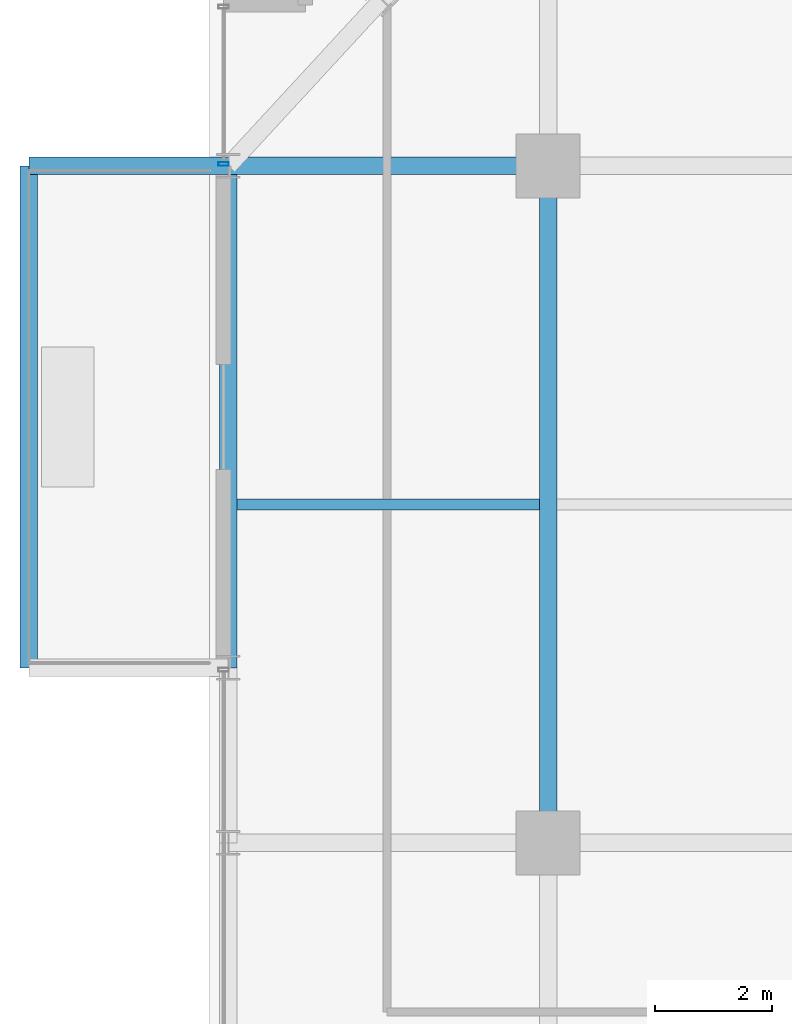
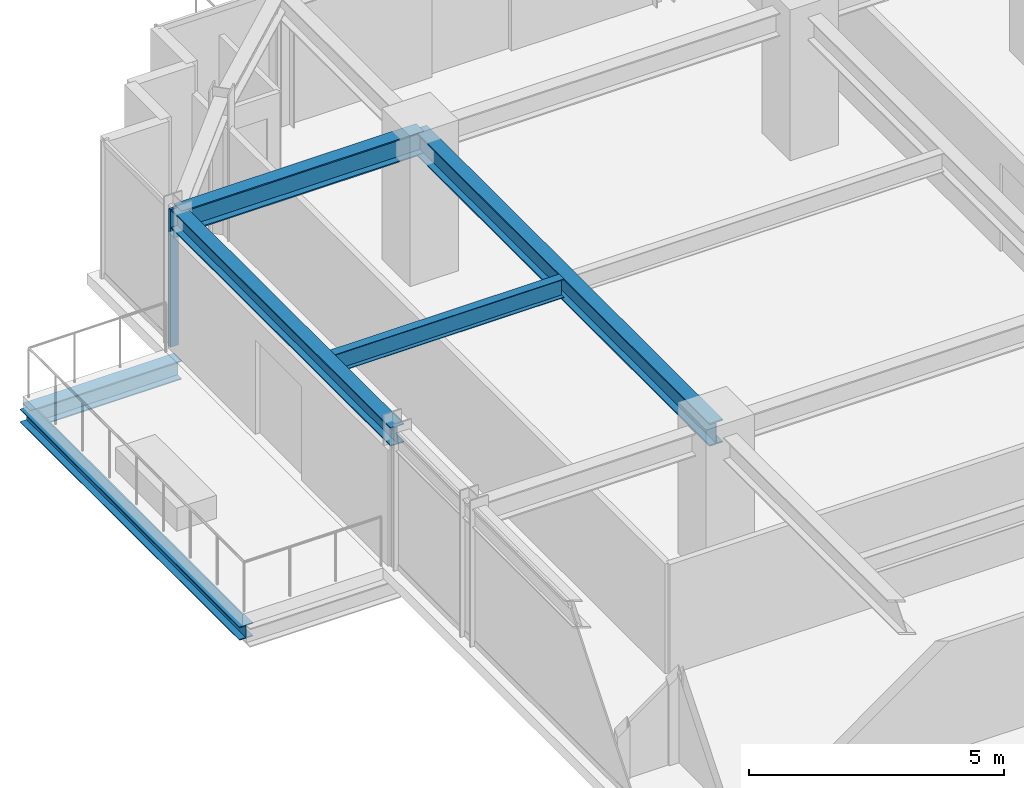
# One storey, part 15 of 32: 6 beams, 1 member, 1 element without a shape of its own.
"""IFC4 building model written with IfcOpenShell, lengths in metres."""

from ifc_helpers import new_model, si_unit, direction, frame, origin, origin_2d, place, context, subcontext, project, spatial, hollow_rectangle, i_section, extrude, source, transform, mapped, material, material_profile, profile_set, type_object, element, aggregate, save


model = new_model("IFC4")

# Units and contexts
model_context = context("Model", 3, precision=1e-05, world=origin(), true_north=direction((0.0, 1.0)))
body_context = subcontext(model_context, "Body", "Model", "MODEL_VIEW")
ifc_project = project(units=[si_unit("LENGTHUNIT", "METRE"), si_unit("AREAUNIT", "SQUARE_METRE"), si_unit("VOLUMEUNIT", "CUBIC_METRE"), si_unit("PLANEANGLEUNIT", "RADIAN"), si_unit("MASSUNIT", "GRAM", prefix="KILO")], contexts=[model_context])

# Site, building, storey
site_placement = place(None, origin())
site = spatial("IfcSite", under=ifc_project, at=site_placement, CompositionType="ELEMENT")
building_placement = place(site_placement, origin())
building = spatial("IfcBuilding", under=site, at=building_placement, Name="Nahalor Promenade Grand Hotel", CompositionType="ELEMENT")
storey_placement = place(building_placement, frame((0.0, 0.0, 196.449951171875)))
storey = spatial("IfcBuildingStorey", under=building, at=storey_placement, Name="L50", CompositionType="ELEMENT", Elevation=196.449951171875)

# Beams
ifc_material_1 = material(Name="Steel S355JR", Category="steel")
ifc_material_profile_1 = material_profile(ifc_material_1, i_section(OverallWidth=0.3, OverallDepth=0.32, WebThickness=0.0115, FlangeThickness=0.0205, at=origin_2d()), Name="HEB 320")
ifc_profile_set_1 = profile_set([ifc_material_profile_1], Name="Steel S355JR")
beam_type_1 = type_object("IfcBeamType", Name="Beam-BalcEdge-HEB320", PredefinedType="SPANDREL", material=ifc_profile_set_1)
shared_shape_1 = source(origin(), body_context, "Body", "SweptSolid", [
    extrude(i_section(OverallWidth=0.3, OverallDepth=0.32, WebThickness=0.0115, FlangeThickness=0.0205, at=origin_2d()), origin(), (0.0, 0.0, 1.0), 8.60009765625),
])
beam_1_placement = place(storey_placement, frame((-25.89990234375, 8.39990234375, -0.43994140625), z_axis=(0.0, 1.0, 0.0), x_axis=(-1.0, 0.0, 0.0)))
element("IfcBeam", 1, at=beam_1_placement, inside=storey, type_object=beam_type_1, Name="BM-L50-BC-02-F", PredefinedType="SPANDREL", context=body_context, shape_type="MappedRepresentation", body=[
    mapped(shared_shape_1, transform((0.0, 0.0, 0.0), scale=1.0)),
])
ifc_material_profile_2 = material_profile(ifc_material_1, i_section(OverallWidth=0.3, OverallDepth=0.45, WebThickness=0.014, FlangeThickness=0.026, at=origin_2d()), Name="HEB 450")
ifc_profile_set_2 = profile_set([ifc_material_profile_2], Name="Steel S355JR")
beam_type_2 = type_object("IfcBeamType", Name="Beam-Outrigger-HEB450", PredefinedType="BEAM", material=ifc_profile_set_2)
shared_shape_2 = source(origin(), body_context, "Body", "SweptSolid", [
    extrude(i_section(OverallWidth=0.3, OverallDepth=0.45, WebThickness=0.014, FlangeThickness=0.026, at=origin_2d()), origin(), (0.0, 0.0, 1.0), 3.419921875),
])
beam_2_placement = place(storey_placement, frame((-25.89990234375, 17.0, -0.5048828125), z_axis=(1.0, 0.0, 0.0), x_axis=(0.0, 1.0, 0.0)))
element("IfcBeam", 2, at=beam_2_placement, inside=storey, type_object=beam_type_2, Name="BM-L50-BC-02-2", PredefinedType="BEAM", context=body_context, shape_type="MappedRepresentation", body=[
    mapped(shared_shape_2, transform((0.0, 0.0, 0.0), scale=1.0)),
])
ifc_material_profile_3 = material_profile(ifc_material_1, i_section(OverallWidth=0.3, OverallDepth=0.55, WebThickness=0.015, FlangeThickness=0.029, at=origin_2d()), Name="HEB 550")
ifc_profile_set_3 = profile_set([ifc_material_profile_3], Name="Steel S355JR")
beam_type_3 = type_object("IfcBeamType", Name="Beam-Girder-HEB550", PredefinedType="BEAM", material=ifc_profile_set_3)
shared_shape_3 = source(origin(), body_context, "Body", "SweptSolid", [
    extrude(i_section(OverallWidth=0.3, OverallDepth=0.55, WebThickness=0.015, FlangeThickness=0.029, at=origin_2d()), origin(), (0.0, 0.0, 1.0), 11.60009765625),
])
beam_3_placement = place(storey_placement, frame((-17.0, 5.39990234375, 3.01513671875), z_axis=(0.0, 1.0, 0.0), x_axis=(-1.0, 0.0, 0.0)))
element("IfcBeam", 3, at=beam_3_placement, inside=storey, type_object=beam_type_3, Name="BM-L50-GY-0-3", PredefinedType="BEAM", context=body_context, shape_type="MappedRepresentation", body=[
    mapped(shared_shape_3, transform((0.0, 0.0, 0.0), scale=1.0)),
])
shared_shape_4 = source(origin(), body_context, "Body", "SweptSolid", [
    extrude(i_section(OverallWidth=0.3, OverallDepth=0.55, WebThickness=0.015, FlangeThickness=0.029, at=origin_2d()), origin(), (0.0, 0.0, 1.0), 5.47998046875),
])
beam_4_placement = place(storey_placement, frame((-22.47998046875, 17.0, 3.01513671875), z_axis=(1.0, 0.0, 0.0), x_axis=(0.0, 1.0, 0.0)))
element("IfcBeam", 4, at=beam_4_placement, inside=storey, type_object=beam_type_3, Name="BM-L50-GX-3-0", PredefinedType="BEAM", context=body_context, shape_type="MappedRepresentation", body=[
    mapped(shared_shape_4, transform((0.0, 0.0, 0.0), scale=1.0)),
])
ifc_material_profile_4 = material_profile(ifc_material_1, i_section(OverallWidth=0.19, OverallDepth=0.45, WebThickness=0.0094, FlangeThickness=0.0146, at=origin_2d()), Name="IPE 450")
ifc_profile_set_4 = profile_set([ifc_material_profile_4], Name="Steel S355JR")
beam_type_4 = type_object("IfcBeamType", Name="Beam-Joist-IPE450", PredefinedType="JOIST", material=ifc_profile_set_4)
shared_shape_5 = source(origin(), body_context, "Body", "SweptSolid", [
    extrude(i_section(OverallWidth=0.19, OverallDepth=0.45, WebThickness=0.0094, FlangeThickness=0.0146, at=origin_2d()), origin(), (0.0, 0.0, 1.0), 5.18017578125),
])
beam_5_placement = place(storey_placement, frame((-22.330078125, 11.199951171875, 3.06494140625), z_axis=(1.0, 0.0, 0.0), x_axis=(0.0, 1.0, 0.0)))
element("IfcBeam", 5, at=beam_5_placement, inside=storey, type_object=beam_type_4, Name="BM-L50-JSW-1-0", PredefinedType="JOIST", context=body_context, shape_type="MappedRepresentation", body=[
    mapped(shared_shape_5, transform((0.0, 0.0, 0.0), scale=1.0)),
])
ifc_material_profile_5 = material_profile(ifc_material_1, i_section(OverallWidth=0.3, OverallDepth=0.45, WebThickness=0.014, FlangeThickness=0.026, at=origin_2d()), Name="HEB 450")
ifc_profile_set_5 = profile_set([ifc_material_profile_5], Name="Steel S355JR")
beam_type_5 = type_object("IfcBeamType", Name="Beam-Spandrel-HEB450", PredefinedType="SPANDREL", material=ifc_profile_set_5)
shared_shape_6 = source(origin(), body_context, "Body", "SweptSolid", [
    extrude(i_section(OverallWidth=0.3, OverallDepth=0.45, WebThickness=0.014, FlangeThickness=0.026, at=origin_2d()), origin(), (0.0, 0.0, 1.0), 8.60009765625),
])
beam_6_placement = place(storey_placement, frame((-22.47998046875, 8.39990234375, 3.06494140625), z_axis=(0.0, 1.0, 0.0), x_axis=(-1.0, 0.0, 0.0)))
element("IfcBeam", 6, at=beam_6_placement, inside=storey, type_object=beam_type_5, Name="BM-L50-SP-W-4", PredefinedType="SPANDREL", context=body_context, shape_type="MappedRepresentation", body=[
    mapped(shared_shape_6, transform((0.0, 0.0, 0.0), scale=1.0)),
])

# Curtain wall, member
ifc_material_2 = material(Name="Anodised Bronze Aluminium EN AW-6063 T6", Category="aluminium")
curtain_wall_type = type_object("IfcCurtainWallType", Name="CW2 Typical Hotel Flush Bronze Unitised Curtain Wall", PredefinedType="USERDEFINED", material=ifc_material_2)
curtain_wall_placement = place(storey_placement, origin())
curtain_wall = element("IfcCurtainWall", 7, at=curtain_wall_placement, inside=storey, type_object=curtain_wall_type, Name="L50 Curtain Wall CW-L50-W-3", ObjectType="UNITISED_CURTAIN_WALL", PredefinedType="USERDEFINED")
ifc_material_profile_6 = material_profile(ifc_material_2, hollow_rectangle(XDim=0.065, YDim=0.18, WallThickness=0.004, at=origin_2d()), Name="CWM 65x180x4")
ifc_profile_set_6 = profile_set([ifc_material_profile_6], Name="Anodised Bronze Aluminium EN AW-6063 T6")
member_type = type_object("IfcMemberType", Name="CWM2 Typical Bronze Mullion 65x180", PredefinedType="MULLION", material=ifc_profile_set_6)
shared_shape_7 = source(origin(), body_context, "Body", "SweptSolid", [
    extrude(hollow_rectangle(XDim=0.065, YDim=0.18, WallThickness=0.004, at=origin_2d()), origin(), (0.0, 0.0, 1.0), 3.2900390625),
])
member_placement = place(storey_placement, frame((-22.56005859375, 17.032470703125, 0.0), z_axis=(0.0, 0.0, 1.0), x_axis=(0.0, 1.0, 0.0)))
member = element("IfcMember", 8, at=member_placement, type_object=member_type, Name="CW-L50-W-3 Mullion 0", PredefinedType="MULLION", context=body_context, shape_type="MappedRepresentation", body=[
    mapped(shared_shape_7, transform((0.0, 0.0, 0.0), scale=1.0)),
])
aggregate(curtain_wall, [member])

save(model, "model.ifc")
